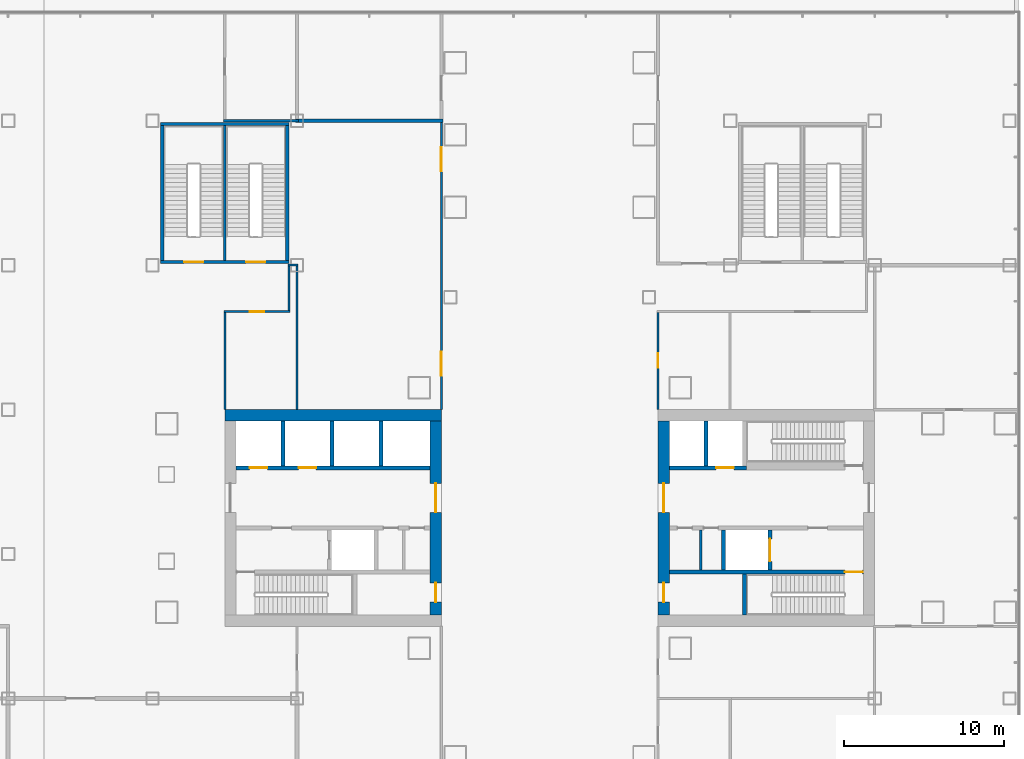
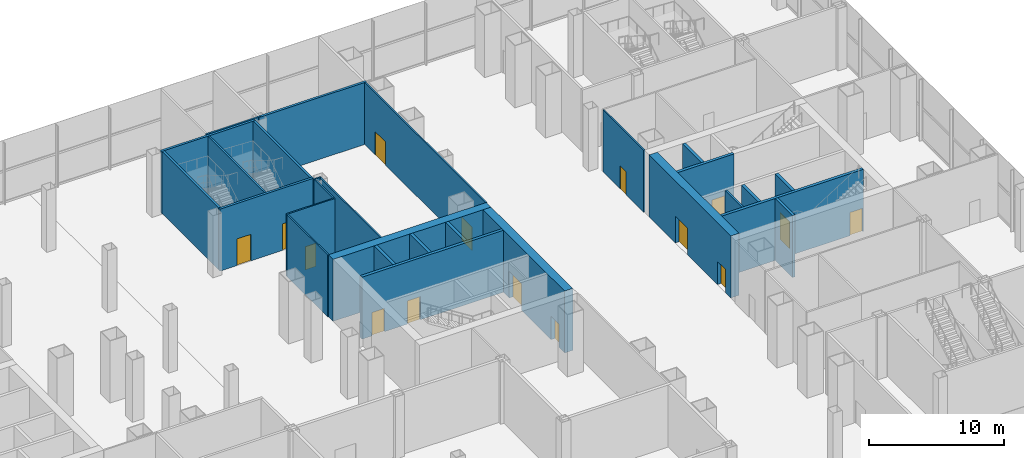
# One storey, part 28 of 38: 28 walls, 15 doors, 15 openings.
"""IFC4 building model written with IfcOpenShell, lengths in metres."""

from ifc_helpers import new_model, si_unit, direction, frame, frame_2d, origin, place, context, subcontext, project, spatial, rectangle, extrude, material, layer, layer_set, type_object, element, fill, save


model = new_model("IFC4")

# Units and contexts
model_context = context("Model", 3, precision=1e-05, world=origin(), true_north=direction((0.0, 1.0)))
body_context = subcontext(model_context, "Body", "Model", "MODEL_VIEW")
ifc_project = project(units=[si_unit("LENGTHUNIT", "METRE"), si_unit("AREAUNIT", "SQUARE_METRE"), si_unit("VOLUMEUNIT", "CUBIC_METRE"), si_unit("PLANEANGLEUNIT", "RADIAN"), si_unit("MASSUNIT", "GRAM", prefix="KILO")], contexts=[model_context])

# Site, building, storey
site_placement = place(None, origin())
site = spatial("IfcSite", under=ifc_project, at=site_placement, CompositionType="ELEMENT")
building_placement = place(site_placement, origin())
building = spatial("IfcBuilding", under=site, at=building_placement, Name="Shamsa Quay Exchange Towers", CompositionType="ELEMENT")
storey_placement = place(building_placement, frame((0.0, 0.0, 12.5)))
storey = spatial("IfcBuildingStorey", under=building, at=storey_placement, Name="L02", CompositionType="ELEMENT", Elevation=12.5)

# Walls
ifc_material_1 = material(Name="Double-leaf gypsum board partition with acoustic insulation")
ifc_layer_1 = layer(ifc_material_1, 0.199951171875)
ifc_layer_set_1 = layer_set([ifc_layer_1], Name="Acoustic partition 200 mm EI 60")
wall_type_1 = type_object("IfcWallType", Name="Acoustic partition 200 mm EI 60", PredefinedType="PARTITIONING", material=ifc_layer_set_1)
wall_1_placement = place(storey_placement, frame((27.10009765625, 24.75, 0.0), z_axis=(0.0, 0.0, 1.0), x_axis=(-1.0, 0.0, 0.0)))
element("IfcWall", 1, at=wall_1_placement, inside=storey, type_object=wall_type_1, Name="Partition PD-L02-W78", PredefinedType="PARTITIONING", context=body_context, shape_type="SweptSolid", body=[
    extrude(rectangle(XDim=9.2001953125, YDim=0.199951171875, at=frame_2d((4.60009765625, 0.0))), origin(), (0.0, 0.0, 1.0), 5.60009765625),
])
ifc_material_2 = material(Name="Concrete C80/95", Category="concrete")
ifc_layer_2 = layer(ifc_material_2, 0.699951171875)
ifc_layer_set_2 = layer_set([ifc_layer_2], Name="CORE WALL 700 C80/95")
wall_type_2 = type_object("IfcWallType", Name="CORE WALL 700 C80/95", PredefinedType="SHEAR", material=ifc_layer_set_2)
wall_2_placement = place(storey_placement, frame((13.5, 6.39990234375, 0.0)))
element("IfcWall", 2, at=wall_2_placement, inside=storey, type_object=wall_type_2, Name="Core wall T2A-L02-PN", PredefinedType="SHEAR", context=body_context, shape_type="SweptSolid", body=[
    extrude(rectangle(XDim=13.5, YDim=0.699951171875, at=frame_2d((6.75, 0.0))), origin(), (0.0, 0.0, 1.0), 5.60009765625),
])

# Wall, openings, doors
wall_3_placement = place(storey_placement, frame((26.64990234375, 6.050048828125, 0.0), z_axis=(0.0, 0.0, 1.0), x_axis=(0.0, -1.0, 0.0)))
wall_3 = element("IfcWall", 3, at=wall_3_placement, inside=storey, type_object=wall_type_2, Name="Core wall T2A-L02-PB", PredefinedType="SHEAR", context=body_context, shape_type="SweptSolid", body=[
    extrude(rectangle(XDim=12.10009765625, YDim=0.699951171875, at=frame_2d((6.050048828125, 0.0))), origin(), (0.0, 0.0, 1.0), 5.60009765625),
])
opening_1_placement = place(wall_3_placement, frame((10.10009765625, 0.0, 0.0)))
opening_1 = element("IfcOpeningElement", 4, at=opening_1_placement, cuts=wall_3, Name="Opening T2A-L02-RD02", PredefinedType="OPENING", context=body_context, shape_type="SweptSolid", body=[
    extrude(rectangle(XDim=1.199951171875, YDim=2.10009765625, at=frame_2d((0.60009765625, 1.050048828125))), frame((0.0, 0.35986328125, 0.0), z_axis=(0.0, -1.0, 0.0), x_axis=(1.0, 0.0, 0.0)), (0.0, 0.0, 1.0), 0.719970703125),
])
opening_2_placement = place(wall_3_placement, frame((3.89990234375, 0.0, 0.0)))
opening_2 = element("IfcOpeningElement", 5, at=opening_2_placement, cuts=wall_3, Name="Opening T2A-L02-LBD03", PredefinedType="OPENING", context=body_context, shape_type="SweptSolid", body=[
    extrude(rectangle(XDim=1.800048828125, YDim=2.39990234375, at=frame_2d((0.89990234375, 1.199951171875))), frame((0.0, 0.35986328125, 0.0), z_axis=(0.0, -1.0, 0.0), x_axis=(1.0, 0.0, 0.0)), (0.0, 0.0, 1.0), 0.719970703125),
])
ifc_material_3 = material(Name="Steel, fire rated", Category="steel")
door_type_1 = type_object("IfcDoorType", Name="LIFT LOBBY DOOR PAIR 1800", OperationType="DOUBLE_DOOR_SINGLE_SWING", PredefinedType="DOOR", material=ifc_material_3)
door_1_placement = place(opening_2_placement, origin())
door_1 = element("IfcDoor", 6, at=door_1_placement, inside=storey, type_object=door_type_1, Name="T2A-L02-LBD03", OperationType="DOUBLE_DOOR_SINGLE_SWING", OverallHeight=2.39990234375, OverallWidth=1.800048828125, PredefinedType="DOOR", context=body_context, shape_type="SweptSolid", body=[
    extrude(rectangle(XDim=1.800048828125, YDim=2.39990234375, at=frame_2d((0.89990234375, 1.199951171875))), frame((0.0, 0.02490234375, 0.0), z_axis=(0.0, -1.0, 0.0), x_axis=(1.0, 0.0, 0.0)), (0.0, 0.0, 1.0), 0.050048828125),
])
fill(opening_2, door_1)
door_type_2 = type_object("IfcDoorType", Name="RISER ACCESS DOOR 1200", OperationType="SINGLE_SWING_LEFT", PredefinedType="DOOR", material=ifc_material_3)
door_2_placement = place(opening_1_placement, origin())
door_2 = element("IfcDoor", 7, at=door_2_placement, inside=storey, type_object=door_type_2, Name="T2A-L02-RD02", OperationType="SINGLE_SWING_RIGHT", OverallHeight=2.10009765625, OverallWidth=1.199951171875, PredefinedType="DOOR", context=body_context, shape_type="SweptSolid", body=[
    extrude(rectangle(XDim=1.199951171875, YDim=2.10009765625, at=frame_2d((0.60009765625, 1.050048828125))), frame((0.0, 0.02490234375, 0.0), z_axis=(0.0, -1.0, 0.0), x_axis=(1.0, 0.0, 0.0)), (0.0, 0.0, 1.0), 0.050048828125),
])
fill(opening_1, door_2)

wall_4_placement = place(storey_placement, frame((40.85009765625, -6.050048828125, 0.0), z_axis=(0.0, 0.0, 1.0), x_axis=(0.0, 1.0, 0.0)))
wall_4 = element("IfcWall", 8, at=wall_4_placement, inside=storey, type_object=wall_type_2, Name="Core wall T2B-L02-PB", PredefinedType="SHEAR", context=body_context, shape_type="SweptSolid", body=[
    extrude(rectangle(XDim=12.10009765625, YDim=0.699951171875, at=frame_2d((6.050048828125, 0.0))), origin(), (0.0, 0.0, 1.0), 5.60009765625),
])
opening_3_placement = place(wall_4_placement, frame((0.800048828125, 0.0, 0.0)))
opening_3 = element("IfcOpeningElement", 9, at=opening_3_placement, cuts=wall_4, Name="Opening T2B-L02-RD02", PredefinedType="OPENING", context=body_context, shape_type="SweptSolid", body=[
    extrude(rectangle(XDim=1.199951171875, YDim=2.10009765625, at=frame_2d((0.60009765625, 1.050048828125))), frame((0.0, 0.35986328125, 0.0), z_axis=(0.0, -1.0, 0.0), x_axis=(1.0, 0.0, 0.0)), (0.0, 0.0, 1.0), 0.719970703125),
])
opening_4_placement = place(wall_4_placement, frame((6.39990234375, 0.0, 0.0)))
opening_4 = element("IfcOpeningElement", 10, at=opening_4_placement, cuts=wall_4, Name="Opening T2B-L02-LBD03", PredefinedType="OPENING", context=body_context, shape_type="SweptSolid", body=[
    extrude(rectangle(XDim=1.800048828125, YDim=2.39990234375, at=frame_2d((0.89990234375, 1.199951171875))), frame((0.0, 0.35986328125, 0.0), z_axis=(0.0, -1.0, 0.0), x_axis=(1.0, 0.0, 0.0)), (0.0, 0.0, 1.0), 0.719970703125),
])
door_3_placement = place(opening_4_placement, origin())
door_3 = element("IfcDoor", 11, at=door_3_placement, inside=storey, type_object=door_type_1, Name="T2B-L02-LBD03", OperationType="DOUBLE_DOOR_SINGLE_SWING", OverallHeight=2.39990234375, OverallWidth=1.800048828125, PredefinedType="DOOR", context=body_context, shape_type="SweptSolid", body=[
    extrude(rectangle(XDim=1.800048828125, YDim=2.39990234375, at=frame_2d((0.89990234375, 1.199951171875))), frame((0.0, 0.02490234375, 0.0), z_axis=(0.0, -1.0, 0.0), x_axis=(1.0, 0.0, 0.0)), (0.0, 0.0, 1.0), 0.050048828125),
])
fill(opening_4, door_3)
door_4_placement = place(opening_3_placement, origin())
door_4 = element("IfcDoor", 12, at=door_4_placement, inside=storey, type_object=door_type_2, Name="T2B-L02-RD02", OperationType="SINGLE_SWING_LEFT", OverallHeight=2.10009765625, OverallWidth=1.199951171875, PredefinedType="DOOR", context=body_context, shape_type="SweptSolid", body=[
    extrude(rectangle(XDim=1.199951171875, YDim=2.10009765625, at=frame_2d((0.60009765625, 1.050048828125))), frame((0.0, 0.02490234375, 0.0), z_axis=(0.0, -1.0, 0.0), x_axis=(1.0, 0.0, 0.0)), (0.0, 0.0, 1.0), 0.050048828125),
])
fill(opening_3, door_4)

# Wall
ifc_material_4 = material(Name="Gypsum board on steel studs, EI 60", Category="steel")
ifc_layer_3 = layer(ifc_material_4, 0.14990234375)
ifc_layer_set_3 = layer_set([ifc_layer_3], Name="FIRE PARTITION 150")
wall_type_3 = type_object("IfcWallType", Name="FIRE PARTITION 150", PredefinedType="PARTITIONING", material=ifc_layer_set_3)
wall_5_placement = place(storey_placement, frame((43.14990234375, -3.25, 0.0), z_axis=(0.0, 0.0, 1.0), x_axis=(0.0, 1.0, 0.0)))
element("IfcWall", 13, at=wall_5_placement, inside=storey, type_object=wall_type_3, Name="Partition T2B-L02-EC0", PredefinedType="PARTITIONING", context=body_context, shape_type="SweptSolid", body=[
    extrude(rectangle(XDim=2.5, YDim=0.14990234375, at=frame_2d((1.25, 0.0))), origin(), (0.0, 0.0, 1.0), 5.60009765625),
])

# Wall, openings, doors
ifc_material_5 = material(Name="Laminated fire-resisting glass in a metal frame", Category="glass")
ifc_layer_4 = layer(ifc_material_5, 0.125)
ifc_layer_set_4 = layer_set([ifc_layer_4], Name="Glazed partition 125 mm EI 60")
wall_type_4 = type_object("IfcWallType", Name="Glazed partition 125 mm EI 60", PredefinedType="PARTITIONING", material=ifc_layer_set_4)
wall_6_placement = place(storey_placement, frame((27.0, 24.64990234375, 0.0), z_axis=(0.0, 0.0, 1.0), x_axis=(0.0, -1.0, 0.0)))
wall_6 = element("IfcWall", 14, at=wall_6_placement, inside=storey, type_object=wall_type_4, Name="Partition PD-L02-W13", PredefinedType="PARTITIONING", context=body_context, shape_type="SweptSolid", body=[
    extrude(rectangle(XDim=17.89990234375, YDim=0.125, at=frame_2d((8.949951171875, 0.0))), origin(), (0.0, 0.0, 1.0), 5.60009765625),
])
opening_5_placement = place(wall_6_placement, frame((1.550048828125, 0.0, 0.0)))
opening_5 = element("IfcOpeningElement", 15, at=opening_5_placement, cuts=wall_6, Name="Opening PD-L02-D38", PredefinedType="OPENING", context=body_context, shape_type="SweptSolid", body=[
    extrude(rectangle(XDim=1.5, YDim=2.10009765625, at=frame_2d((0.75, 1.050048828125))), frame((0.0, 0.072509765625, 0.0), z_axis=(0.0, -1.0, 0.0), x_axis=(1.0, 0.0, 0.0)), (0.0, 0.0, 1.0), 0.14501953125),
])
opening_6_placement = place(wall_6_placement, frame((14.300048828125, 0.0, 0.0)))
opening_6 = element("IfcOpeningElement", 16, at=opening_6_placement, cuts=wall_6, Name="Opening PD-L02-D39", PredefinedType="OPENING", context=body_context, shape_type="SweptSolid", body=[
    extrude(rectangle(XDim=1.5, YDim=2.10009765625, at=frame_2d((0.75, 1.050048828125))), frame((0.0, 0.072509765625, 0.0), z_axis=(0.0, -1.0, 0.0), x_axis=(1.0, 0.0, 0.0)), (0.0, 0.0, 1.0), 0.14501953125),
])
ifc_material_6 = material(Name="Timber door leaf in a metal frame", Category="wood")
door_type_3 = type_object("IfcDoorType", Name="Door 1500x2100 FD30S pair", OperationType="NOTDEFINED", PredefinedType="DOOR", material=ifc_material_6)
door_5_placement = place(opening_5_placement, origin())
door_5 = element("IfcDoor", 17, at=door_5_placement, inside=storey, type_object=door_type_3, Name="Door PD-L02-D38", OperationType="DOUBLE_DOOR_SINGLE_SWING", OverallHeight=2.10009765625, OverallWidth=1.5, PredefinedType="DOOR", context=body_context, shape_type="SweptSolid", body=[
    extrude(rectangle(XDim=1.5, YDim=2.10009765625, at=frame_2d((0.75, 1.050048828125))), frame((0.0, 0.02490234375, 0.0), z_axis=(0.0, -1.0, 0.0), x_axis=(1.0, 0.0, 0.0)), (0.0, 0.0, 1.0), 0.050048828125),
])
fill(opening_5, door_5)
door_6_placement = place(opening_6_placement, origin())
door_6 = element("IfcDoor", 18, at=door_6_placement, inside=storey, type_object=door_type_3, Name="Door PD-L02-D39", OperationType="DOUBLE_DOOR_SINGLE_SWING", OverallHeight=2.10009765625, OverallWidth=1.5, PredefinedType="DOOR", context=body_context, shape_type="SweptSolid", body=[
    extrude(rectangle(XDim=1.5, YDim=2.10009765625, at=frame_2d((0.75, 1.050048828125))), frame((0.0, 0.02490234375, 0.0), z_axis=(0.0, -1.0, 0.0), x_axis=(1.0, 0.0, 0.0)), (0.0, 0.0, 1.0), 0.050048828125),
])
fill(opening_6, door_6)

# Wall, opening, door
wall_7_placement = place(storey_placement, frame((40.5, 12.787109375, 0.0), z_axis=(0.0, 0.0, 1.0), x_axis=(0.0, -1.0, 0.0)))
wall_7 = element("IfcWall", 19, at=wall_7_placement, inside=storey, type_object=wall_type_4, Name="Partition PD-L02-W16", PredefinedType="PARTITIONING", context=body_context, shape_type="SweptSolid", body=[
    extrude(rectangle(XDim=6.037109375, YDim=0.125, at=frame_2d((3.0185546875, 0.0))), origin(), (0.0, 0.0, 1.0), 5.60009765625),
])
opening_7_placement = place(wall_7_placement, frame((2.537353515625, 0.0, 0.0)))
opening_7 = element("IfcOpeningElement", 20, at=opening_7_placement, cuts=wall_7, Name="Opening PD-L02-D44", PredefinedType="OPENING", context=body_context, shape_type="SweptSolid", body=[
    extrude(rectangle(XDim=0.89990234375, YDim=2.10009765625, at=frame_2d((0.449951171875, 1.050048828125))), frame((0.0, 0.072509765625, 0.0), z_axis=(0.0, -1.0, 0.0), x_axis=(1.0, 0.0, 0.0)), (0.0, 0.0, 1.0), 0.14501953125),
])
door_type_4 = type_object("IfcDoorType", Name="Door 900x2100 FD30S", OperationType="NOTDEFINED", PredefinedType="DOOR", material=ifc_material_6)
door_7_placement = place(opening_7_placement, origin())
door_7 = element("IfcDoor", 21, at=door_7_placement, inside=storey, type_object=door_type_4, Name="Door PD-L02-D44", OperationType="SINGLE_SWING_RIGHT", OverallHeight=2.10009765625, OverallWidth=0.89990234375, PredefinedType="DOOR", context=body_context, shape_type="SweptSolid", body=[
    extrude(rectangle(XDim=0.89990234375, YDim=2.10009765625, at=frame_2d((0.449951171875, 1.050048828125))), frame((0.0, 0.02490234375, 0.0), z_axis=(0.0, -1.0, 0.0), x_axis=(1.0, 0.0, 0.0)), (0.0, 0.0, 1.0), 0.050048828125),
])
fill(opening_7, door_7)

# Wall
wall_8_placement = place(storey_placement, frame((13.5, 12.787109375, 0.0), z_axis=(0.0, 0.0, 1.0), x_axis=(0.0, -1.0, 0.0)))
element("IfcWall", 22, at=wall_8_placement, inside=storey, type_object=wall_type_4, Name="Partition PD-L02-W25", PredefinedType="PARTITIONING", context=body_context, shape_type="SweptSolid", body=[
    extrude(rectangle(XDim=6.037109375, YDim=0.125, at=frame_2d((3.0185546875, 0.0))), origin(), (0.0, 0.0, 1.0), 5.60009765625),
])

# Wall, opening, door
wall_9_placement = place(storey_placement, frame((17.5625, 12.849609375, 0.0), z_axis=(0.0, 0.0, 1.0), x_axis=(-1.0, 0.0, 0.0)))
wall_9 = element("IfcWall", 23, at=wall_9_placement, inside=storey, type_object=wall_type_4, Name="Partition PD-L02-W43", PredefinedType="PARTITIONING", context=body_context, shape_type="SweptSolid", body=[
    extrude(rectangle(XDim=4.125, YDim=0.125, at=frame_2d((2.0625, 0.0))), origin(), (0.0, 0.0, 1.0), 5.60009765625),
])
opening_8_placement = place(wall_9_placement, frame((1.612548828125, 0.0, 0.0)))
opening_8 = element("IfcOpeningElement", 24, at=opening_8_placement, cuts=wall_9, Name="Opening PD-L02-D32", PredefinedType="OPENING", context=body_context, shape_type="SweptSolid", body=[
    extrude(rectangle(XDim=0.89990234375, YDim=2.10009765625, at=frame_2d((0.449951171875, 1.050048828125))), frame((0.0, 0.072509765625, 0.0), z_axis=(0.0, -1.0, 0.0), x_axis=(1.0, 0.0, 0.0)), (0.0, 0.0, 1.0), 0.14501953125),
])
door_8_placement = place(opening_8_placement, origin())
door_8 = element("IfcDoor", 25, at=door_8_placement, inside=storey, type_object=door_type_4, Name="Door PD-L02-D32", OperationType="SINGLE_SWING_LEFT", OverallHeight=2.10009765625, OverallWidth=0.89990234375, PredefinedType="DOOR", context=body_context, shape_type="SweptSolid", body=[
    extrude(rectangle(XDim=0.89990234375, YDim=2.10009765625, at=frame_2d((0.449951171875, 1.050048828125))), frame((0.0, 0.02490234375, 0.0), z_axis=(0.0, -1.0, 0.0), x_axis=(1.0, 0.0, 0.0)), (0.0, 0.0, 1.0), 0.050048828125),
])
fill(opening_8, door_8)

# Walls
wall_10_placement = place(storey_placement, frame((17.5, 15.6875, 0.0), z_axis=(0.0, 0.0, 1.0), x_axis=(0.0, -1.0, 0.0)))
element("IfcWall", 26, at=wall_10_placement, inside=storey, type_object=wall_type_4, Name="Partition PD-L02-W46", PredefinedType="PARTITIONING", context=body_context, shape_type="SweptSolid", body=[
    extrude(rectangle(XDim=2.775390625, YDim=0.125, at=frame_2d((1.3876953125, 0.0))), origin(), (0.0, 0.0, 1.0), 5.60009765625),
])
wall_11_placement = place(storey_placement, frame((17.4375, 15.75, 0.0)))
element("IfcWall", 27, at=wall_11_placement, inside=storey, type_object=wall_type_4, Name="Partition PD-L02-W82", PredefinedType="PARTITIONING", context=body_context, shape_type="SweptSolid", body=[
    extrude(rectangle(XDim=0.625, YDim=0.125, at=frame_2d((0.3125, 0.0))), origin(), (0.0, 0.0, 1.0), 5.60009765625),
])
wall_12_placement = place(storey_placement, frame((18.0, 15.6875, 0.0), z_axis=(0.0, 0.0, 1.0), x_axis=(0.0, -1.0, 0.0)))
element("IfcWall", 28, at=wall_12_placement, inside=storey, type_object=wall_type_4, Name="Partition PD-L02-W83", PredefinedType="PARTITIONING", context=body_context, shape_type="SweptSolid", body=[
    extrude(rectangle(XDim=8.9375, YDim=0.125, at=frame_2d((4.46875, 0.0))), origin(), (0.0, 0.0, 1.0), 5.60009765625),
])
ifc_material_7 = material(Name="Gypsum board partition on metal studs")
ifc_layer_5 = layer(ifc_material_7, 0.14990234375)
ifc_layer_set_5 = layer_set([ifc_layer_5], Name="Partition 150 mm EI 60")
wall_type_5 = type_object("IfcWallType", Name="Partition 150 mm EI 60", PredefinedType="PARTITIONING", material=ifc_layer_set_5)
wall_13_placement = place(storey_placement, frame((18.10009765625, 24.75, 0.0), z_axis=(0.0, 0.0, 1.0), x_axis=(-1.0, 0.0, 0.0)))
element("IfcWall", 29, at=wall_13_placement, inside=storey, type_object=wall_type_5, Name="Partition PD-L02-W81", PredefinedType="PARTITIONING", context=body_context, shape_type="SweptSolid", body=[
    extrude(rectangle(XDim=4.675048828125, YDim=0.14990234375, at=frame_2d((2.33740234375, 0.0))), origin(), (0.0, 0.0, 1.0), 5.60009765625),
])

# Wall, openings, doors
ifc_material_8 = material(Name="Concrete C50/60", Category="concrete")
ifc_layer_6 = layer(ifc_material_8, 0.25)
ifc_layer_set_6 = layer_set([ifc_layer_6], Name="SHAFT WALL 250 C50/60")
wall_type_6 = type_object("IfcWallType", Name="SHAFT WALL 250 C50/60", PredefinedType="SHEAR", material=ifc_layer_set_6)
wall_14_placement = place(storey_placement, frame((14.199951171875, 3.125, 0.0)))
wall_14 = element("IfcWall", 30, at=wall_14_placement, inside=storey, type_object=wall_type_6, Name="Shaft wall T2A-L02-N", PredefinedType="SHEAR", context=body_context, shape_type="SweptSolid", body=[
    extrude(rectangle(XDim=12.10009765625, YDim=0.25, at=frame_2d((6.050048828125, 0.0))), origin(), (0.0, 0.0, 1.0), 5.60009765625),
])
opening_9_placement = place(wall_14_placement, frame((0.85009765625, 0.0, 0.0)))
opening_9 = element("IfcOpeningElement", 31, at=opening_9_placement, cuts=wall_14, Name="Opening T2A-L02-LD09", PredefinedType="OPENING", context=body_context, shape_type="SweptSolid", body=[
    extrude(rectangle(XDim=1.10009765625, YDim=2.10009765625, at=frame_2d((0.550048828125, 1.050048828125))), frame((0.0, 0.135009765625, 0.0), z_axis=(0.0, -1.0, 0.0), x_axis=(1.0, 0.0, 0.0)), (0.0, 0.0, 1.0), 0.27001953125),
])
opening_10_placement = place(wall_14_placement, frame((3.89990234375, 0.0, 0.0)))
opening_10 = element("IfcOpeningElement", 32, at=opening_10_placement, cuts=wall_14, Name="Opening T2A-L02-LD10", PredefinedType="OPENING", context=body_context, shape_type="SweptSolid", body=[
    extrude(rectangle(XDim=1.10009765625, YDim=2.10009765625, at=frame_2d((0.550048828125, 1.050048828125))), frame((0.0, 0.135009765625, 0.0), z_axis=(0.0, -1.0, 0.0), x_axis=(1.0, 0.0, 0.0)), (0.0, 0.0, 1.0), 0.27001953125),
])
door_type_5 = type_object("IfcDoorType", Name="LANDING DOOR 1100", OperationType="SLIDING_TO_LEFT", PredefinedType="DOOR", material=ifc_material_3)
door_9_placement = place(opening_9_placement, origin())
door_9 = element("IfcDoor", 33, at=door_9_placement, inside=storey, type_object=door_type_5, Name="T2A-L02-LD09", OperationType="SLIDING_TO_LEFT", OverallHeight=2.10009765625, OverallWidth=1.10009765625, PredefinedType="DOOR", context=body_context, shape_type="SweptSolid", body=[
    extrude(rectangle(XDim=1.10009765625, YDim=2.10009765625, at=frame_2d((0.550048828125, 1.050048828125))), frame((0.0, 0.02490234375, 0.0), z_axis=(0.0, -1.0, 0.0), x_axis=(1.0, 0.0, 0.0)), (0.0, 0.0, 1.0), 0.050048828125),
])
fill(opening_9, door_9)
door_10_placement = place(opening_10_placement, origin())
door_10 = element("IfcDoor", 34, at=door_10_placement, inside=storey, type_object=door_type_5, Name="T2A-L02-LD10", OperationType="SLIDING_TO_LEFT", OverallHeight=2.10009765625, OverallWidth=1.10009765625, PredefinedType="DOOR", context=body_context, shape_type="SweptSolid", body=[
    extrude(rectangle(XDim=1.10009765625, YDim=2.10009765625, at=frame_2d((0.550048828125, 1.050048828125))), frame((0.0, 0.02490234375, 0.0), z_axis=(0.0, -1.0, 0.0), x_axis=(1.0, 0.0, 0.0)), (0.0, 0.0, 1.0), 0.050048828125),
])
fill(opening_10, door_10)

# Walls
for number, where, z_axis, x_axis, name in (
    (35, (17.125, 3.25, 0.0), (0.0, 0.0, 1.0), (0.0, 1.0, 0.0), "Shaft wall T2A-L02-D0"),
    (36, (20.175048828125, 3.25, 0.0), (0.0, 0.0, 1.0), (0.0, 1.0, 0.0), "Shaft wall T2A-L02-D1"),
    (37, (23.22509765625, 3.25, 0.0), (0.0, 0.0, 1.0), (0.0, 1.0, 0.0), "Shaft wall T2A-L02-D2"),
):
    element("IfcWall", number, at=place(storey_placement, frame(where, z_axis=z_axis, x_axis=x_axis)), inside=storey, type_object=wall_type_6, Name=name, PredefinedType="SHEAR", context=body_context, shape_type="SweptSolid", body=[
        extrude(rectangle(XDim=2.800048828125, YDim=0.25, at=frame_2d((1.39990234375, 0.0))), origin(), (0.0, 0.0, 1.0), 5.60009765625),
    ])

# Wall, opening, door
wall_15_placement = place(storey_placement, frame((53.300048828125, -3.375, 0.0), z_axis=(0.0, 0.0, 1.0), x_axis=(-1.0, 0.0, 0.0)))
wall_15 = element("IfcWall", 38, at=wall_15_placement, inside=storey, type_object=wall_type_6, Name="Shaft wall T2B-L02-STL", PredefinedType="SHEAR", context=body_context, shape_type="SweptSolid", body=[
    extrude(rectangle(XDim=12.10009765625, YDim=0.25, at=frame_2d((6.050048828125, 0.0))), origin(), (0.0, 0.0, 1.0), 5.60009765625),
])
opening_11_placement = place(wall_15_placement, frame((0.050048828125, 0.0, 0.0)))
opening_11 = element("IfcOpeningElement", 39, at=opening_11_placement, cuts=wall_15, Name="Opening T2B-L02-SD04", PredefinedType="OPENING", context=body_context, shape_type="SweptSolid", body=[
    extrude(rectangle(XDim=1.10009765625, YDim=2.10009765625, at=frame_2d((0.550048828125, 1.050048828125))), frame((0.0, 0.135009765625, 0.0), z_axis=(0.0, -1.0, 0.0), x_axis=(1.0, 0.0, 0.0)), (0.0, 0.0, 1.0), 0.27001953125),
])
door_type_6 = type_object("IfcDoorType", Name="STAIR DOOR 1100", OperationType="SINGLE_SWING_LEFT", PredefinedType="DOOR", material=ifc_material_3)
door_11_placement = place(opening_11_placement, origin())
door_11 = element("IfcDoor", 40, at=door_11_placement, inside=storey, type_object=door_type_6, Name="T2B-L02-SD04", OperationType="SINGLE_SWING_LEFT", OverallHeight=2.10009765625, OverallWidth=1.10009765625, PredefinedType="DOOR", context=body_context, shape_type="SweptSolid", body=[
    extrude(rectangle(XDim=1.10009765625, YDim=2.10009765625, at=frame_2d((0.550048828125, 1.050048828125))), frame((0.0, 0.02490234375, 0.0), z_axis=(0.0, -1.0, 0.0), x_axis=(1.0, 0.0, 0.0)), (0.0, 0.0, 1.0), 0.050048828125),
])
fill(opening_11, door_11)

# Wall
wall_16_placement = place(storey_placement, frame((45.875, -6.050048828125, 0.0), z_axis=(0.0, 0.0, 1.0), x_axis=(0.0, 1.0, 0.0)))
element("IfcWall", 41, at=wall_16_placement, inside=storey, type_object=wall_type_6, Name="Shaft wall T2B-L02-STF", PredefinedType="SHEAR", context=body_context, shape_type="SweptSolid", body=[
    extrude(rectangle(XDim=2.550048828125, YDim=0.25, at=frame_2d((1.27490234375, 0.0))), origin(), (0.0, 0.0, 1.0), 5.60009765625),
])

# Wall, opening, door
wall_17_placement = place(storey_placement, frame((47.47509765625, -3.25, 0.0), z_axis=(0.0, 0.0, 1.0), x_axis=(0.0, 1.0, 0.0)))
wall_17 = element("IfcWall", 42, at=wall_17_placement, inside=storey, type_object=wall_type_6, Name="Shaft wall T2B-L02-FFF", PredefinedType="SHEAR", context=body_context, shape_type="SweptSolid", body=[
    extrude(rectangle(XDim=2.5, YDim=0.25, at=frame_2d((1.25, 0.0))), origin(), (0.0, 0.0, 1.0), 5.60009765625),
])
opening_12_placement = place(wall_17_placement, frame((0.550048828125, 0.0, 0.0)))
opening_12 = element("IfcOpeningElement", 43, at=opening_12_placement, cuts=wall_17, Name="Opening T2B-L02-LDG08", PredefinedType="OPENING", context=body_context, shape_type="SweptSolid", body=[
    extrude(rectangle(XDim=1.39990234375, YDim=2.39990234375, at=frame_2d((0.699951171875, 1.199951171875))), frame((0.0, 0.135009765625, 0.0), z_axis=(0.0, -1.0, 0.0), x_axis=(1.0, 0.0, 0.0)), (0.0, 0.0, 1.0), 0.27001953125),
])
door_type_7 = type_object("IfcDoorType", Name="GOODS LIFT LANDING DOOR 1400", OperationType="SLIDING_TO_LEFT", PredefinedType="DOOR", material=ifc_material_3)
door_12_placement = place(opening_12_placement, origin())
door_12 = element("IfcDoor", 44, at=door_12_placement, inside=storey, type_object=door_type_7, Name="T2B-L02-LDG08", OperationType="SLIDING_TO_LEFT", OverallHeight=2.39990234375, OverallWidth=1.39990234375, PredefinedType="DOOR", context=body_context, shape_type="SweptSolid", body=[
    extrude(rectangle(XDim=1.39990234375, YDim=2.39990234375, at=frame_2d((0.699951171875, 1.199951171875))), frame((0.0, 0.02490234375, 0.0), z_axis=(0.0, -1.0, 0.0), x_axis=(1.0, 0.0, 0.0)), (0.0, 0.0, 1.0), 0.050048828125),
])
fill(opening_12, door_12)

# Wall
wall_18_placement = place(storey_placement, frame((44.574951171875, -3.25, 0.0), z_axis=(0.0, 0.0, 1.0), x_axis=(0.0, 1.0, 0.0)))
element("IfcWall", 45, at=wall_18_placement, inside=storey, type_object=wall_type_6, Name="Shaft wall T2B-L02-FFB", PredefinedType="SHEAR", context=body_context, shape_type="SweptSolid", body=[
    extrude(rectangle(XDim=2.5, YDim=0.25, at=frame_2d((1.25, 0.0))), origin(), (0.0, 0.0, 1.0), 5.60009765625),
])

# Wall, opening, door
wall_19_placement = place(storey_placement, frame((46.0, 3.125, 0.0), z_axis=(0.0, 0.0, 1.0), x_axis=(-1.0, 0.0, 0.0)))
wall_19 = element("IfcWall", 46, at=wall_19_placement, inside=storey, type_object=wall_type_6, Name="Shaft wall T2B-L02-N2", PredefinedType="SHEAR", context=body_context, shape_type="SweptSolid", body=[
    extrude(rectangle(XDim=4.800048828125, YDim=0.25, at=frame_2d((2.39990234375, 0.0))), origin(), (0.0, 0.0, 1.0), 5.60009765625),
])
opening_13_placement = place(wall_19_placement, frame((0.77490234375, 0.0, 0.0)))
opening_13 = element("IfcOpeningElement", 47, at=opening_13_placement, cuts=wall_19, Name="Opening T2B-L02-LD10", PredefinedType="OPENING", context=body_context, shape_type="SweptSolid", body=[
    extrude(rectangle(XDim=1.10009765625, YDim=2.10009765625, at=frame_2d((0.550048828125, 1.050048828125))), frame((0.0, 0.135009765625, 0.0), z_axis=(0.0, -1.0, 0.0), x_axis=(1.0, 0.0, 0.0)), (0.0, 0.0, 1.0), 0.27001953125),
])
door_13_placement = place(opening_13_placement, origin())
door_13 = element("IfcDoor", 48, at=door_13_placement, inside=storey, type_object=door_type_5, Name="T2B-L02-LD10", OperationType="SLIDING_TO_LEFT", OverallHeight=2.10009765625, OverallWidth=1.10009765625, PredefinedType="DOOR", context=body_context, shape_type="SweptSolid", body=[
    extrude(rectangle(XDim=1.10009765625, YDim=2.10009765625, at=frame_2d((0.550048828125, 1.050048828125))), frame((0.0, 0.02490234375, 0.0), z_axis=(0.0, -1.0, 0.0), x_axis=(1.0, 0.0, 0.0)), (0.0, 0.0, 1.0), 0.050048828125),
])
fill(opening_13, door_13)

# Wall
wall_20_placement = place(storey_placement, frame((43.47509765625, 3.25, 0.0), z_axis=(0.0, 0.0, 1.0), x_axis=(0.0, 1.0, 0.0)))
element("IfcWall", 49, at=wall_20_placement, inside=storey, type_object=wall_type_6, Name="Shaft wall T2B-L02-D0", PredefinedType="SHEAR", context=body_context, shape_type="SweptSolid", body=[
    extrude(rectangle(XDim=2.800048828125, YDim=0.25, at=frame_2d((1.39990234375, 0.0))), origin(), (0.0, 0.0, 1.0), 5.60009765625),
])

# Wall, openings, doors
ifc_layer_7 = layer(ifc_material_8, 0.199951171875)
ifc_layer_set_7 = layer_set([ifc_layer_7], Name="STAIR ENCLOSURE WALL 200 C50/60")
wall_type_7 = type_object("IfcWallType", Name="STAIR ENCLOSURE WALL 200 C50/60", PredefinedType="SHEAR", material=ifc_layer_set_7)
wall_21_placement = place(storey_placement, frame((9.5, 15.949951171875, 0.0)))
wall_21 = element("IfcWall", 50, at=wall_21_placement, inside=storey, type_object=wall_type_7, Name="Stair enclosure wall PS3 inward", PredefinedType="SHEAR", context=body_context, shape_type="SweptSolid", body=[
    extrude(rectangle(XDim=8.0, YDim=0.199951171875, at=frame_2d((4.0, 0.0))), origin(), (0.0, 0.0, 1.0), 5.60009765625),
])
opening_14_placement = place(wall_21_placement, frame((1.46240234375, 0.0, 0.0)))
opening_14 = element("IfcOpeningElement", 51, at=opening_14_placement, cuts=wall_21, Name="Opening PS3A-L02-SD01", PredefinedType="OPENING", context=body_context, shape_type="SweptSolid", body=[
    extrude(rectangle(XDim=1.199951171875, YDim=2.39990234375, at=frame_2d((0.60009765625, 1.199951171875))), frame((0.0, 0.10986328125, 0.0), z_axis=(0.0, -1.0, 0.0), x_axis=(1.0, 0.0, 0.0)), (0.0, 0.0, 1.0), 0.219970703125),
])
opening_15_placement = place(wall_21_placement, frame((5.33740234375, 0.0, 0.0)))
opening_15 = element("IfcOpeningElement", 52, at=opening_15_placement, cuts=wall_21, Name="Opening PS3B-L02-SD01", PredefinedType="OPENING", context=body_context, shape_type="SweptSolid", body=[
    extrude(rectangle(XDim=1.199951171875, YDim=2.39990234375, at=frame_2d((0.60009765625, 1.199951171875))), frame((0.0, 0.10986328125, 0.0), z_axis=(0.0, -1.0, 0.0), x_axis=(1.0, 0.0, 0.0)), (0.0, 0.0, 1.0), 0.219970703125),
])
door_type_8 = type_object("IfcDoorType", Name="PODIUM STAIR DOOR 1200", OperationType="SINGLE_SWING_LEFT", PredefinedType="DOOR", material=ifc_material_3)
door_14_placement = place(opening_14_placement, origin())
door_14 = element("IfcDoor", 53, at=door_14_placement, inside=storey, type_object=door_type_8, Name="PS3A-L02-SD01", OperationType="SINGLE_SWING_LEFT", OverallHeight=2.39990234375, OverallWidth=1.199951171875, PredefinedType="DOOR", context=body_context, shape_type="SweptSolid", body=[
    extrude(rectangle(XDim=1.199951171875, YDim=2.39990234375, at=frame_2d((0.60009765625, 1.199951171875))), frame((0.0, 0.02490234375, 0.0), z_axis=(0.0, -1.0, 0.0), x_axis=(1.0, 0.0, 0.0)), (0.0, 0.0, 1.0), 0.050048828125),
])
fill(opening_14, door_14)
door_15_placement = place(opening_15_placement, origin())
door_15 = element("IfcDoor", 54, at=door_15_placement, inside=storey, type_object=door_type_8, Name="PS3B-L02-SD01", OperationType="SINGLE_SWING_RIGHT", OverallHeight=2.39990234375, OverallWidth=1.199951171875, PredefinedType="DOOR", context=body_context, shape_type="SweptSolid", body=[
    extrude(rectangle(XDim=1.199951171875, YDim=2.39990234375, at=frame_2d((0.60009765625, 1.199951171875))), frame((0.0, 0.02490234375, 0.0), z_axis=(0.0, -1.0, 0.0), x_axis=(1.0, 0.0, 0.0)), (0.0, 0.0, 1.0), 0.050048828125),
])
fill(opening_15, door_15)

# Walls
wall_22_placement = place(storey_placement, frame((9.5, 24.550048828125, 0.0)))
element("IfcWall", 55, at=wall_22_placement, inside=storey, type_object=wall_type_7, Name="Stair enclosure wall PS3 outward", PredefinedType="SHEAR", context=body_context, shape_type="SweptSolid", body=[
    extrude(rectangle(XDim=8.0, YDim=0.199951171875, at=frame_2d((4.0, 0.0))), origin(), (0.0, 0.0, 1.0), 5.60009765625),
])
for number, where, z_axis, x_axis, name in (
    (56, (9.60009765625, 16.050048828125, 0.0), (0.0, 0.0, 1.0), (0.0, 1.0, 0.0), "Stair enclosure wall PS3 west"),
    (57, (17.39990234375, 16.050048828125, 0.0), (0.0, 0.0, 1.0), (0.0, 1.0, 0.0), "Stair enclosure wall PS3 east"),
):
    element("IfcWall", number, at=place(storey_placement, frame(where, z_axis=z_axis, x_axis=x_axis)), inside=storey, type_object=wall_type_7, Name=name, PredefinedType="SHEAR", context=body_context, shape_type="SweptSolid", body=[
        extrude(rectangle(XDim=8.39990234375, YDim=0.199951171875, at=frame_2d((4.199951171875, 0.0))), origin(), (0.0, 0.0, 1.0), 5.60009765625),
    ])
ifc_layer_8 = layer(ifc_material_8, 0.14990234375)
ifc_layer_set_8 = layer_set([ifc_layer_8], Name="STAIR PARTITION WALL 150 C50/60")
wall_type_8 = type_object("IfcWallType", Name="STAIR PARTITION WALL 150 C50/60", PredefinedType="SHEAR", material=ifc_layer_set_8)
wall_23_placement = place(storey_placement, frame((13.5, 16.050048828125, 0.0), z_axis=(0.0, 0.0, 1.0), x_axis=(0.0, 1.0, 0.0)))
element("IfcWall", 58, at=wall_23_placement, inside=storey, type_object=wall_type_8, Name="Stair enclosure wall PS3 between the stairs", PredefinedType="SHEAR", context=body_context, shape_type="SweptSolid", body=[
    extrude(rectangle(XDim=8.39990234375, YDim=0.14990234375, at=frame_2d((4.199951171875, 0.0))), origin(), (0.0, 0.0, 1.0), 5.60009765625),
])

save(model, "model.ifc")
